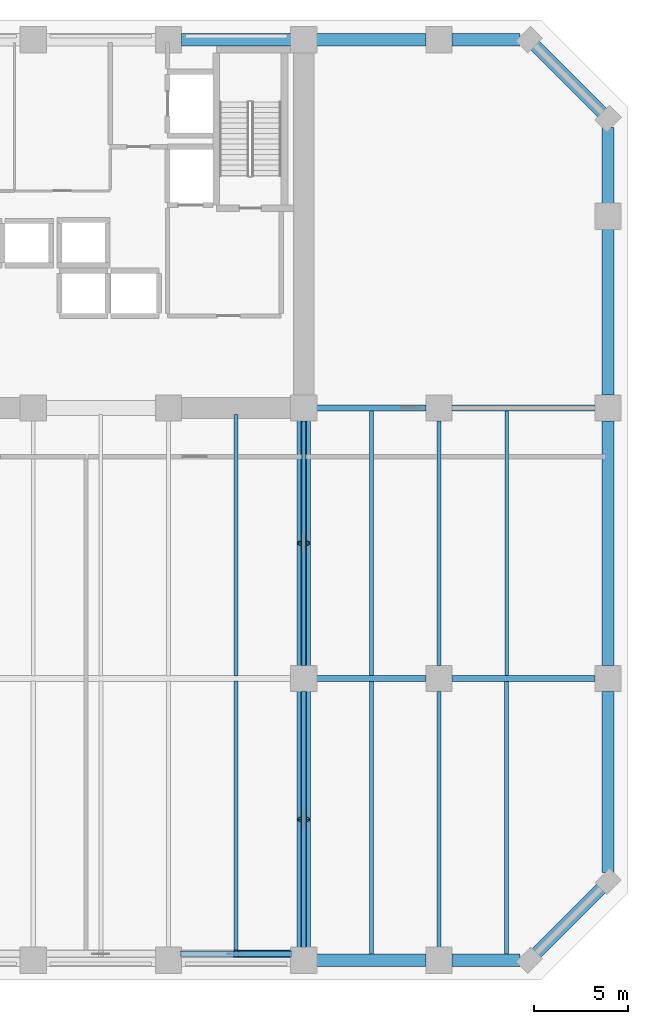
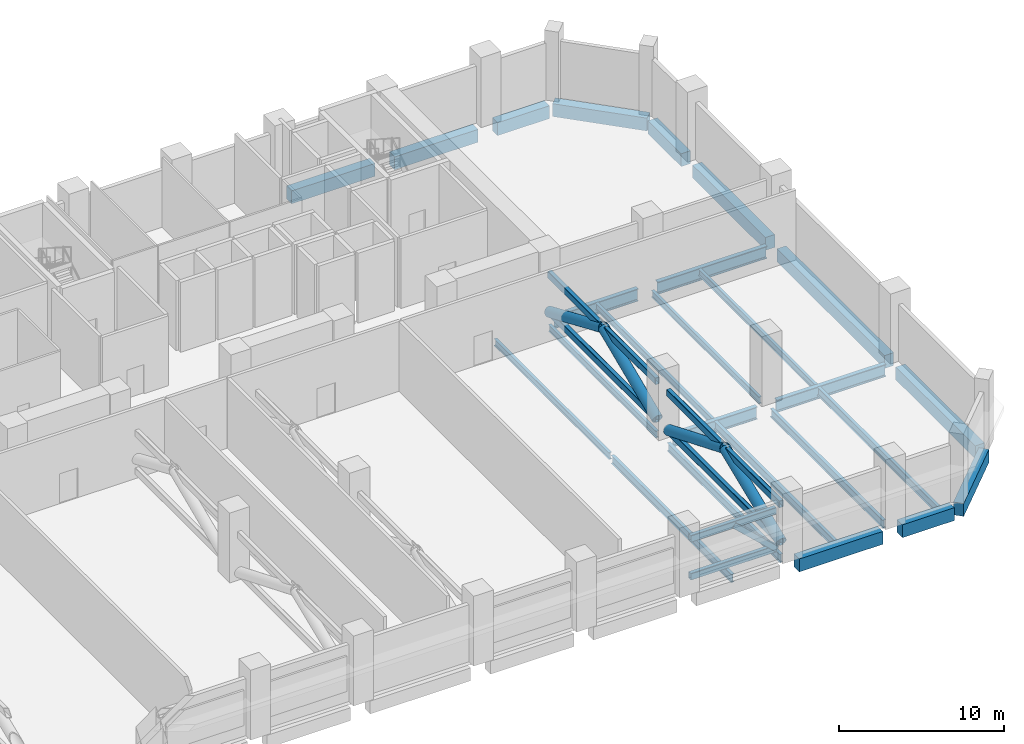
# One storey, part 3 of 15: 25 beams, 11 members.
"""IFC4 building model written with IfcOpenShell, lengths in metres."""

from ifc_helpers import new_model, si_unit, direction, frame, origin, origin_2d, place, context, subcontext, project, spatial, rectangle, hollow_rectangle, hollow_circle, i_section, extrude, material, material_profile, profile_set, type_object, element, save


model = new_model("IFC4")

# Units and contexts
model_context = context("Model", 3, precision=1e-05, world=origin(), true_north=direction((0.0, 1.0)))
body_context = subcontext(model_context, "Body", "Model", "MODEL_VIEW")
ifc_project = project(units=[si_unit("LENGTHUNIT", "METRE"), si_unit("AREAUNIT", "SQUARE_METRE"), si_unit("VOLUMEUNIT", "CUBIC_METRE"), si_unit("PLANEANGLEUNIT", "RADIAN"), si_unit("MASSUNIT", "GRAM", prefix="KILO")], contexts=[model_context])

# Site, building, storey
site_placement = place(None, origin())
site = spatial("IfcSite", under=ifc_project, at=site_placement, CompositionType="ELEMENT")
building_placement = place(site_placement, origin())
building = spatial("IfcBuilding", under=site, at=building_placement, Name="Kaelvorn Grand Hotel", CompositionType="ELEMENT")
storey_placement = place(building_placement, frame((0.0, 0.0, 80.14990234375)))
storey = spatial("IfcBuildingStorey", under=building, at=storey_placement, Name="L18", CompositionType="ELEMENT", Elevation=80.14990234375)

# Beams
ifc_material_1 = material(Name="Steel S460", Category="steel")
ifc_material_profile_1 = material_profile(ifc_material_1, i_section(OverallWidth=0.302001953125, OverallDepth=0.909912109375, WebThickness=0.02099609375, FlangeThickness=0.0400390625, FilletRadius=0.030029296875, at=origin_2d()), Name="HEM 900")
ifc_profile_set_1 = profile_set([ifc_material_profile_1], Name="Steel S460")
beam_type_1 = type_object("IfcBeamType", Name="BM-G-HEM900-S460", PredefinedType="BEAM", material=ifc_profile_set_1)
beam_1_placement = place(storey_placement, frame((68.485107421875, 15.0, -0.804931640625), z_axis=(1.0, 0.0, 0.0), x_axis=(0.0, 1.0, 0.0)))
element("IfcBeam", 1, at=beam_1_placement, inside=storey, type_object=beam_type_1, Name="L18 Primary Spine Steel Girder G-15 06", PredefinedType="BEAM", context=body_context, shape_type="SweptSolid", body=[
    extrude(i_section(OverallWidth=0.302001953125, OverallDepth=0.909912109375, WebThickness=0.02099609375, FlangeThickness=0.0400390625, FilletRadius=0.030029296875, at=origin_2d()), origin(), (0.0, 0.0, 1.0), 5.829833984375),
])
beam_2_placement = place(storey_placement, frame((75.68505859375, 15.0, -0.804931640625), z_axis=(1.0, 0.0, 0.0), x_axis=(0.0, 1.0, 0.0)))
element("IfcBeam", 2, at=beam_2_placement, inside=storey, type_object=beam_type_1, Name="L18 Primary Spine Steel Girder G-15 07", PredefinedType="BEAM", context=body_context, shape_type="SweptSolid", body=[
    extrude(i_section(OverallWidth=0.302001953125, OverallDepth=0.909912109375, WebThickness=0.02099609375, FlangeThickness=0.0400390625, FilletRadius=0.030029296875, at=origin_2d()), origin(), (0.0, 0.0, 1.0), 7.6298828125),
])
beam_3_placement = place(storey_placement, frame((68.485107421875, 29.39990234375, -0.804931640625), z_axis=(1.0, 0.0, 0.0), x_axis=(0.0, 1.0, 0.0)))
element("IfcBeam", 3, at=beam_3_placement, inside=storey, type_object=beam_type_1, Name="L18 East Core Wing Steel Girder G-29E 01", PredefinedType="BEAM", context=body_context, shape_type="SweptSolid", body=[
    extrude(i_section(OverallWidth=0.302001953125, OverallDepth=0.909912109375, WebThickness=0.02099609375, FlangeThickness=0.0400390625, FilletRadius=0.030029296875, at=origin_2d()), origin(), (0.0, 0.0, 1.0), 5.829833984375),
])
beam_4_placement = place(storey_placement, frame((75.68505859375, 29.39990234375, -0.804931640625), z_axis=(1.0, 0.0, 0.0), x_axis=(0.0, 1.0, 0.0)))
element("IfcBeam", 4, at=beam_4_placement, inside=storey, type_object=beam_type_1, Name="L18 East Core Wing Steel Girder G-29E 02", PredefinedType="BEAM", context=body_context, shape_type="SweptSolid", body=[
    extrude(i_section(OverallWidth=0.302001953125, OverallDepth=0.909912109375, WebThickness=0.02099609375, FlangeThickness=0.0400390625, FilletRadius=0.030029296875, at=origin_2d()), origin(), (0.0, 0.0, 1.0), 7.6298828125),
])
ifc_material_2 = material(Name="Steel S355", Category="steel")
ifc_material_profile_2 = material_profile(ifc_material_2, i_section(OverallWidth=0.199951171875, OverallDepth=0.5, WebThickness=0.01025390625, FlangeThickness=0.01611328125, FilletRadius=0.02099609375, at=origin_2d()), Name="IPE 500")
ifc_profile_set_2 = profile_set([ifc_material_profile_2], Name="Steel S355")
beam_type_2 = type_object("IfcBeamType", Name="BM-J-IPE500-S355", PredefinedType="JOIST", material=ifc_profile_set_2)
beam_5_placement = place(storey_placement, frame((64.199951171875, 15.135986328125, -0.599853515625), z_axis=(0.0, 1.0, 0.0), x_axis=(-1.0, 0.0, 0.0)))
element("IfcBeam", 5, at=beam_5_placement, inside=storey, type_object=beam_type_2, Name="L18 Composite Floor Joist JM-18", PredefinedType="JOIST", context=body_context, shape_type="SweptSolid", body=[
    extrude(i_section(OverallWidth=0.199951171875, OverallDepth=0.5, WebThickness=0.01025390625, FlangeThickness=0.01611328125, FilletRadius=0.02099609375, at=origin_2d()), origin(), (0.0, 0.0, 1.0), 13.924072265625),
])
beam_6_placement = place(storey_placement, frame((67.800048828125, 15.68505859375, -0.599853515625), z_axis=(0.0, 1.0, 0.0), x_axis=(-1.0, 0.0, 0.0)))
element("IfcBeam", 6, at=beam_6_placement, inside=storey, type_object=beam_type_2, Name="L18 Composite Floor Joist JM-19", PredefinedType="JOIST", context=body_context, shape_type="SweptSolid", body=[
    extrude(i_section(OverallWidth=0.199951171875, OverallDepth=0.5, WebThickness=0.01025390625, FlangeThickness=0.01611328125, FilletRadius=0.02099609375, at=origin_2d()), origin(), (0.0, 0.0, 1.0), 13.030029296875),
])
beam_7_placement = place(storey_placement, frame((71.39990234375, 15.135986328125, -0.599853515625), z_axis=(0.0, 1.0, 0.0), x_axis=(-1.0, 0.0, 0.0)))
element("IfcBeam", 7, at=beam_7_placement, inside=storey, type_object=beam_type_2, Name="L18 Composite Floor Joist JM-20", PredefinedType="JOIST", context=body_context, shape_type="SweptSolid", body=[
    extrude(i_section(OverallWidth=0.199951171875, OverallDepth=0.5, WebThickness=0.01025390625, FlangeThickness=0.01611328125, FilletRadius=0.02099609375, at=origin_2d()), origin(), (0.0, 0.0, 1.0), 14.1279296875),
])
beam_8_placement = place(storey_placement, frame((75.0, 15.68505859375, -0.599853515625), z_axis=(0.0, 1.0, 0.0), x_axis=(-1.0, 0.0, 0.0)))
element("IfcBeam", 8, at=beam_8_placement, inside=storey, type_object=beam_type_2, Name="L18 Composite Floor Joist JM-21", PredefinedType="JOIST", context=body_context, shape_type="SweptSolid", body=[
    extrude(i_section(OverallWidth=0.199951171875, OverallDepth=0.5, WebThickness=0.01025390625, FlangeThickness=0.01611328125, FilletRadius=0.02099609375, at=origin_2d()), origin(), (0.0, 0.0, 1.0), 13.030029296875),
])
beam_9_placement = place(storey_placement, frame((78.60009765625, 15.135986328125, -0.599853515625), z_axis=(0.0, 1.0, 0.0), x_axis=(-1.0, 0.0, 0.0)))
element("IfcBeam", 9, at=beam_9_placement, inside=storey, type_object=beam_type_2, Name="L18 Composite Floor Joist JM-22", PredefinedType="JOIST", context=body_context, shape_type="SweptSolid", body=[
    extrude(i_section(OverallWidth=0.199951171875, OverallDepth=0.5, WebThickness=0.01025390625, FlangeThickness=0.01611328125, FilletRadius=0.02099609375, at=origin_2d()), origin(), (0.0, 0.0, 1.0), 14.1279296875),
])
ifc_material_profile_3 = material_profile(ifc_material_2, i_section(OverallWidth=0.219970703125, OverallDepth=0.60009765625, WebThickness=0.011962890625, FlangeThickness=0.01904296875, FilletRadius=0.02392578125, at=origin_2d()), Name="IPE 600")
ifc_profile_set_3 = profile_set([ifc_material_profile_3], Name="Steel S355")
beam_type_3 = type_object("IfcBeamType", Name="BM-J-IPE600-S355", PredefinedType="JOIST", material=ifc_profile_set_3)
beam_10_placement = place(storey_placement, frame((64.199951171875, 0.31005859375, -0.64990234375), z_axis=(0.0, 1.0, 0.0), x_axis=(-1.0, 0.0, 0.0)))
element("IfcBeam", 10, at=beam_10_placement, inside=storey, type_object=beam_type_3, Name="L18 Composite Floor Joist JS-18", PredefinedType="JOIST", context=body_context, shape_type="SweptSolid", body=[
    extrude(i_section(OverallWidth=0.219970703125, OverallDepth=0.60009765625, WebThickness=0.011962890625, FlangeThickness=0.01904296875, FilletRadius=0.02392578125, at=origin_2d()), origin(), (0.0, 0.0, 1.0), 14.553955078125),
])
beam_11_placement = place(storey_placement, frame((67.800048828125, 0.68505859375, -0.64990234375), z_axis=(0.0, 1.0, 0.0), x_axis=(-1.0, 0.0, 0.0)))
element("IfcBeam", 11, at=beam_11_placement, inside=storey, type_object=beam_type_3, Name="L18 Composite Floor Joist JS-19", PredefinedType="JOIST", context=body_context, shape_type="SweptSolid", body=[
    extrude(i_section(OverallWidth=0.219970703125, OverallDepth=0.60009765625, WebThickness=0.011962890625, FlangeThickness=0.01904296875, FilletRadius=0.02392578125, at=origin_2d()), origin(), (0.0, 0.0, 1.0), 13.6298828125),
])
beam_12_placement = place(storey_placement, frame((71.39990234375, 0.31005859375, -0.64990234375), z_axis=(0.0, 1.0, 0.0), x_axis=(-1.0, 0.0, 0.0)))
element("IfcBeam", 12, at=beam_12_placement, inside=storey, type_object=beam_type_3, Name="L18 Composite Floor Joist JS-20", PredefinedType="JOIST", context=body_context, shape_type="SweptSolid", body=[
    extrude(i_section(OverallWidth=0.219970703125, OverallDepth=0.60009765625, WebThickness=0.011962890625, FlangeThickness=0.01904296875, FilletRadius=0.02392578125, at=origin_2d()), origin(), (0.0, 0.0, 1.0), 14.553955078125),
])
beam_13_placement = place(storey_placement, frame((75.0, 0.68505859375, -0.64990234375), z_axis=(0.0, 1.0, 0.0), x_axis=(-1.0, 0.0, 0.0)))
element("IfcBeam", 13, at=beam_13_placement, inside=storey, type_object=beam_type_3, Name="L18 Composite Floor Joist JS-21", PredefinedType="JOIST", context=body_context, shape_type="SweptSolid", body=[
    extrude(i_section(OverallWidth=0.219970703125, OverallDepth=0.60009765625, WebThickness=0.011962890625, FlangeThickness=0.01904296875, FilletRadius=0.02392578125, at=origin_2d()), origin(), (0.0, 0.0, 1.0), 13.6298828125),
])
beam_14_placement = place(storey_placement, frame((78.60009765625, 0.31005859375, -0.64990234375), z_axis=(0.0, 1.0, 0.0), x_axis=(-1.0, 0.0, 0.0)))
element("IfcBeam", 14, at=beam_14_placement, inside=storey, type_object=beam_type_3, Name="L18 Composite Floor Joist JS-22", PredefinedType="JOIST", context=body_context, shape_type="SweptSolid", body=[
    extrude(i_section(OverallWidth=0.219970703125, OverallDepth=0.60009765625, WebThickness=0.011962890625, FlangeThickness=0.01904296875, FilletRadius=0.02392578125, at=origin_2d()), origin(), (0.0, 0.0, 1.0), 14.553955078125),
])
ifc_material_3 = material(Name="Concrete C60/75", Category="concrete")
ifc_material_profile_4 = material_profile(ifc_material_3, rectangle(XDim=0.64990234375, YDim=0.949951171875, at=origin_2d()), Name="RC SPANDREL 650x950")
ifc_profile_set_4 = profile_set([ifc_material_profile_4], Name="Concrete C60/75")
beam_type_4 = type_object("IfcBeamType", Name="BM-SP-650x950-C60", PredefinedType="SPANDREL", material=ifc_profile_set_4)
beam_15_placement = place(storey_placement, frame((68.485107421875, 0.0, -0.824951171875), z_axis=(1.0, 0.0, 0.0), x_axis=(0.0, 1.0, 0.0)))
element("IfcBeam", 15, at=beam_15_placement, inside=storey, type_object=beam_type_4, Name="L18 South Perimeter Spandrel 10", PredefinedType="SPANDREL", context=body_context, shape_type="SweptSolid", body=[
    extrude(rectangle(XDim=0.64990234375, YDim=0.949951171875, at=origin_2d()), origin(), (0.0, 0.0, 1.0), 5.829833984375),
])
beam_16_placement = place(storey_placement, frame((75.68505859375, 0.0, -0.824951171875), z_axis=(1.0, 0.0, 0.0), x_axis=(0.0, 1.0, 0.0)))
element("IfcBeam", 16, at=beam_16_placement, inside=storey, type_object=beam_type_4, Name="L18 South Perimeter Spandrel 11", PredefinedType="SPANDREL", context=body_context, shape_type="SweptSolid", body=[
    extrude(rectangle(XDim=0.64990234375, YDim=0.949951171875, at=origin_2d()), origin(), (0.0, 0.0, 1.0), 3.6298828125),
])
beam_17_placement = place(storey_placement, frame((61.284912109375, 49.0, -0.824951171875), z_axis=(1.0, 0.0, 0.0), x_axis=(0.0, 1.0, 0.0)))
element("IfcBeam", 17, at=beam_17_placement, inside=storey, type_object=beam_type_4, Name="L18 North Perimeter Spandrel 09", PredefinedType="SPANDREL", context=body_context, shape_type="SweptSolid", body=[
    extrude(rectangle(XDim=0.64990234375, YDim=0.949951171875, at=origin_2d()), origin(), (0.0, 0.0, 1.0), 5.830078125),
])
beam_18_placement = place(storey_placement, frame((68.485107421875, 49.0, -0.824951171875), z_axis=(1.0, 0.0, 0.0), x_axis=(0.0, 1.0, 0.0)))
element("IfcBeam", 18, at=beam_18_placement, inside=storey, type_object=beam_type_4, Name="L18 North Perimeter Spandrel 10", PredefinedType="SPANDREL", context=body_context, shape_type="SweptSolid", body=[
    extrude(rectangle(XDim=0.64990234375, YDim=0.949951171875, at=origin_2d()), origin(), (0.0, 0.0, 1.0), 5.829833984375),
])
beam_19_placement = place(storey_placement, frame((75.68505859375, 49.0, -0.824951171875), z_axis=(1.0, 0.0, 0.0), x_axis=(0.0, 1.0, 0.0)))
element("IfcBeam", 19, at=beam_19_placement, inside=storey, type_object=beam_type_4, Name="L18 North Perimeter Spandrel 11", PredefinedType="SPANDREL", context=body_context, shape_type="SweptSolid", body=[
    extrude(rectangle(XDim=0.64990234375, YDim=0.949951171875, at=origin_2d()), origin(), (0.0, 0.0, 1.0), 3.6298828125),
])
beam_20_placement = place(storey_placement, frame((84.0, 4.68505859375, -0.824951171875), z_axis=(0.0, 1.0, 0.0), x_axis=(-1.0, 0.0, 0.0)))
element("IfcBeam", 20, at=beam_20_placement, inside=storey, type_object=beam_type_4, Name="L18 East Perimeter Spandrel 01", PredefinedType="SPANDREL", context=body_context, shape_type="SweptSolid", body=[
    extrude(rectangle(XDim=0.64990234375, YDim=0.949951171875, at=origin_2d()), origin(), (0.0, 0.0, 1.0), 9.6298828125),
])
beam_21_placement = place(storey_placement, frame((84.0, 15.68505859375, -0.824951171875), z_axis=(0.0, 1.0, 0.0), x_axis=(-1.0, 0.0, 0.0)))
element("IfcBeam", 21, at=beam_21_placement, inside=storey, type_object=beam_type_4, Name="L18 East Perimeter Spandrel 02", PredefinedType="SPANDREL", context=body_context, shape_type="SweptSolid", body=[
    extrude(rectangle(XDim=0.64990234375, YDim=0.949951171875, at=origin_2d()), origin(), (0.0, 0.0, 1.0), 13.030029296875),
])
beam_22_placement = place(storey_placement, frame((84.0, 30.0849609375, -0.824951171875), z_axis=(0.0, 1.0, 0.0), x_axis=(-1.0, 0.0, 0.0)))
element("IfcBeam", 22, at=beam_22_placement, inside=storey, type_object=beam_type_4, Name="L18 East Perimeter Spandrel 03", PredefinedType="SPANDREL", context=body_context, shape_type="SweptSolid", body=[
    extrude(rectangle(XDim=0.64990234375, YDim=0.949951171875, at=origin_2d()), origin(), (0.0, 0.0, 1.0), 8.830078125),
])
beam_23_placement = place(storey_placement, frame((84.0, 40.284912109375, -0.824951171875), z_axis=(0.0, 1.0, 0.0), x_axis=(-1.0, 0.0, 0.0)))
element("IfcBeam", 23, at=beam_23_placement, inside=storey, type_object=beam_type_4, Name="L18 East Perimeter Spandrel 04", PredefinedType="SPANDREL", context=body_context, shape_type="SweptSolid", body=[
    extrude(rectangle(XDim=0.64990234375, YDim=0.949951171875, at=origin_2d()), origin(), (0.0, 0.0, 1.0), 4.030029296875),
])
for number, where, z_axis, x_axis, name in (
    (24, (79.800048828125, 0.0, -0.824951171875), (0.707106781187, 0.707106781187, 0.0), (-0.707106781187, 0.707106781187, 0.0), "L18 Chamfer Spandrel Beam 1"),
    (25, (84.0, 44.800048828125, -0.824951171875), (-0.707106781187, 0.707106781187, 0.0), (-0.707106781187, -0.707106781187, 0.0), "L18 Chamfer Spandrel Beam 2"),
):
    element("IfcBeam", number, at=place(storey_placement, frame(where, z_axis=z_axis, x_axis=x_axis)), inside=storey, type_object=beam_type_4, Name=name, PredefinedType="SPANDREL", context=body_context, shape_type="SweptSolid", body=[
        extrude(rectangle(XDim=0.64990234375, YDim=0.949951171875, at=origin_2d()), origin(), (0.0, 0.0, 1.0), 5.939697265625),
    ])

# Members
ifc_material_profile_5 = material_profile(ifc_material_1, hollow_rectangle(XDim=0.39990234375, YDim=0.39990234375, WallThickness=0.02001953125, InnerFilletRadius=0.02001953125, OuterFilletRadius=0.0400390625, at=origin_2d()), Name="SHS 400x400x20.0")
ifc_profile_set_5 = profile_set([ifc_material_profile_5], Name="Steel S460")
member_type_1 = type_object("IfcMemberType", Name="MB-BT-BRACE-SHS400", PredefinedType="BRACE", material=ifc_profile_set_5)
member_1_placement = place(storey_placement, frame((64.199951171875, 0.340087890625, 3.35009765625), z_axis=(0.729353016021, 0.0, -0.684137543203), x_axis=(0.0, 1.0, 0.0)))
element("IfcMember", 26, at=member_1_placement, inside=storey, type_object=member_type_1, Name="L18 Belt Truss Brace R7", PredefinedType="BRACE", context=body_context, shape_type="SweptSolid", body=[
    extrude(hollow_rectangle(XDim=0.39990234375, YDim=0.39990234375, WallThickness=0.02001953125, InnerFilletRadius=0.02001953125, OuterFilletRadius=0.0400390625, at=origin_2d()), origin(), (0.0, 0.0, 1.0), 4.0927734375),
])
ifc_material_profile_6 = material_profile(ifc_material_1, hollow_circle(Radius=0.35546875, WallThickness=0.031982421875, at=origin_2d()), Name="CHS 711.0x32.0")
ifc_profile_set_6 = profile_set([ifc_material_profile_6], Name="Steel S460")
member_type_2 = type_object("IfcMemberType", Name="MB-OR-BRACE-CHS711", PredefinedType="BRACE", material=ifc_profile_set_6)
for number, where, z_axis, x_axis, name in (
    (27, (67.800048828125, 0.68505859375, 0.550048828125), (0.0, 0.924969486333, 0.380041378475), (-1.0, 0.0, 0.0), "L18 Outrigger Brace Diagonal A4.1"),
    (28, (67.800048828125, 7.5, 3.35009765625), (0.0, 0.924969486333, -0.380041378475), (-1.0, 0.0, 0.0), "L18 Outrigger Brace Diagonal B4.1"),
):
    element("IfcMember", number, at=place(storey_placement, frame(where, z_axis=z_axis, x_axis=x_axis)), inside=storey, type_object=member_type_2, Name=name, PredefinedType="BRACE", context=body_context, shape_type="SweptSolid", body=[
        extrude(hollow_circle(Radius=0.35546875, WallThickness=0.031982421875, at=origin_2d()), origin(), (0.0, 0.0, 1.0), 7.36767578125),
    ])
member_2_placement = place(storey_placement, frame((67.800048828125, 15.68505859375, 0.550048828125), z_axis=(0.0, 0.918738516718, 0.394866481103), x_axis=(-1.0, 0.0, 0.0)))
element("IfcMember", 29, at=member_2_placement, inside=storey, type_object=member_type_2, Name="L18 Outrigger Brace Diagonal A4.2", PredefinedType="BRACE", context=body_context, shape_type="SweptSolid", body=[
    extrude(hollow_circle(Radius=0.35546875, WallThickness=0.031982421875, at=origin_2d()), origin(), (0.0, 0.0, 1.0), 7.091064453125),
])
member_3_placement = place(storey_placement, frame((67.800048828125, 22.199951171875, 3.35009765625), z_axis=(0.0, 0.918743884621, -0.394853991333), x_axis=(-1.0, 0.0, 0.0)))
element("IfcMember", 30, at=member_3_placement, inside=storey, type_object=member_type_2, Name="L18 Outrigger Brace Diagonal B4.2", PredefinedType="BRACE", context=body_context, shape_type="SweptSolid", body=[
    extrude(hollow_circle(Radius=0.35546875, WallThickness=0.031982421875, at=origin_2d()), origin(), (0.0, 0.0, 1.0), 7.09130859375),
])
ifc_material_profile_7 = material_profile(ifc_material_1, hollow_rectangle(XDim=0.300048828125, YDim=0.5, WallThickness=0.02001953125, InnerFilletRadius=0.02001953125, OuterFilletRadius=0.0400390625, at=origin_2d()), Name="RHS 500x300x20.0")
ifc_profile_set_7 = profile_set([ifc_material_profile_7], Name="Steel S460")
member_type_3 = type_object("IfcMemberType", Name="MB-OR-CHORD-RHS500", PredefinedType="CHORD", material=ifc_profile_set_7)
for number, where, z_axis, x_axis, name in (
    (31, (67.800048828125, 0.68505859375, 0.550048828125), (0.0, 1.0, 0.0), (-1.0, 0.0, 0.0), "L18 Outrigger Bottom Chord OC-4.1"),
    (32, (67.800048828125, 0.68505859375, 3.35009765625), (0.0, 1.0, 0.0), (-1.0, 0.0, 0.0), "L18 Outrigger Top Chord OC-4.1"),
):
    element("IfcMember", number, at=place(storey_placement, frame(where, z_axis=z_axis, x_axis=x_axis)), inside=storey, type_object=member_type_3, Name=name, PredefinedType="CHORD", context=body_context, shape_type="SweptSolid", body=[
        extrude(hollow_rectangle(XDim=0.300048828125, YDim=0.5, WallThickness=0.02001953125, InnerFilletRadius=0.02001953125, OuterFilletRadius=0.0400390625, at=origin_2d()), origin(), (0.0, 0.0, 1.0), 13.6298828125),
    ])
for number, where, z_axis, x_axis, name in (
    (33, (67.800048828125, 15.68505859375, 0.550048828125), (0.0, 1.0, 0.0), (-1.0, 0.0, 0.0), "L18 Outrigger Bottom Chord OC-4.2"),
    (34, (67.800048828125, 15.68505859375, 3.35009765625), (0.0, 1.0, 0.0), (-1.0, 0.0, 0.0), "L18 Outrigger Top Chord OC-4.2"),
):
    element("IfcMember", number, at=place(storey_placement, frame(where, z_axis=z_axis, x_axis=x_axis)), inside=storey, type_object=member_type_3, Name=name, PredefinedType="CHORD", context=body_context, shape_type="SweptSolid", body=[
        extrude(hollow_rectangle(XDim=0.300048828125, YDim=0.5, WallThickness=0.02001953125, InnerFilletRadius=0.02001953125, OuterFilletRadius=0.0400390625, at=origin_2d()), origin(), (0.0, 0.0, 1.0), 13.030029296875),
    ])
for number, where, z_axis, x_axis, name in (
    (35, (61.215087890625, 0.340087890625, 0.550048828125), (1.0, 0.0, 0.0), (0.0, 1.0, 0.0), "L18 Belt Truss Bottom Chord 7"),
    (36, (61.215087890625, 0.340087890625, 3.35009765625), (1.0, 0.0, 0.0), (0.0, 1.0, 0.0), "L18 Belt Truss Top Chord 7"),
):
    element("IfcMember", number, at=place(storey_placement, frame(where, z_axis=z_axis, x_axis=x_axis)), inside=storey, type_object=member_type_3, Name=name, PredefinedType="CHORD", context=body_context, shape_type="SweptSolid", body=[
        extrude(hollow_rectangle(XDim=0.300048828125, YDim=0.5, WallThickness=0.02001953125, InnerFilletRadius=0.02001953125, OuterFilletRadius=0.0400390625, at=origin_2d()), origin(), (0.0, 0.0, 1.0), 5.969970703125),
    ])

save(model, "model.ifc")
